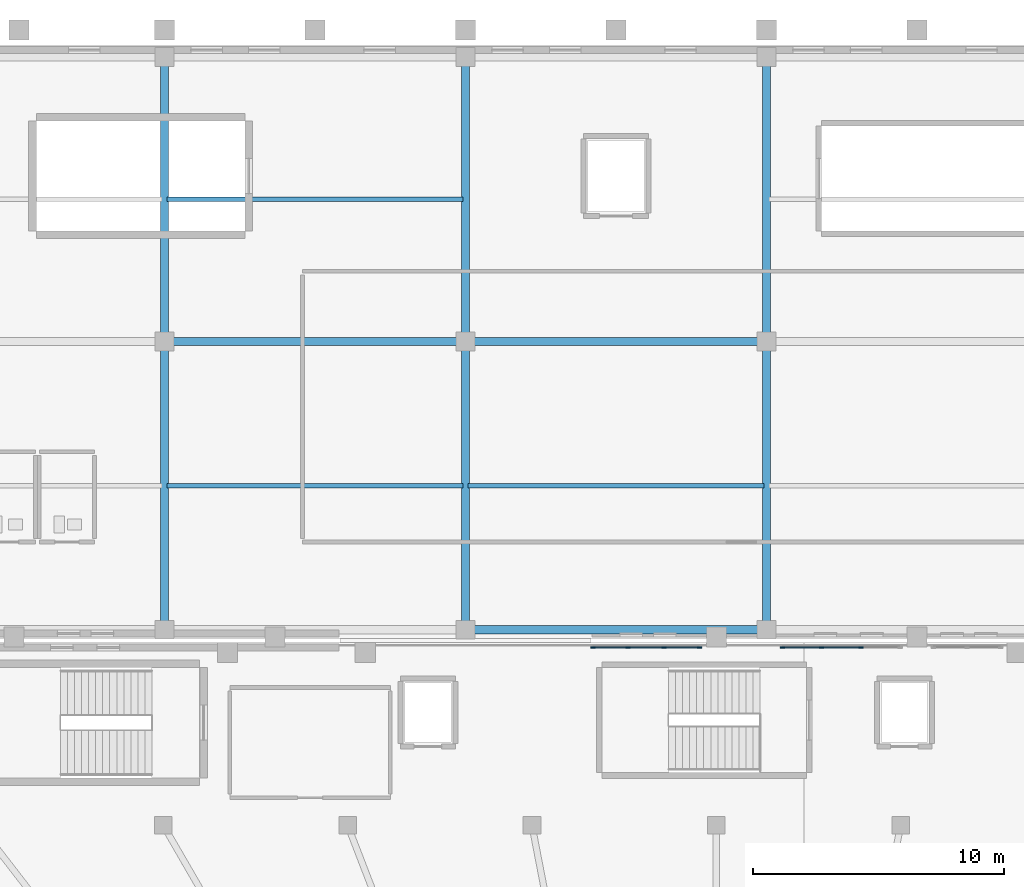
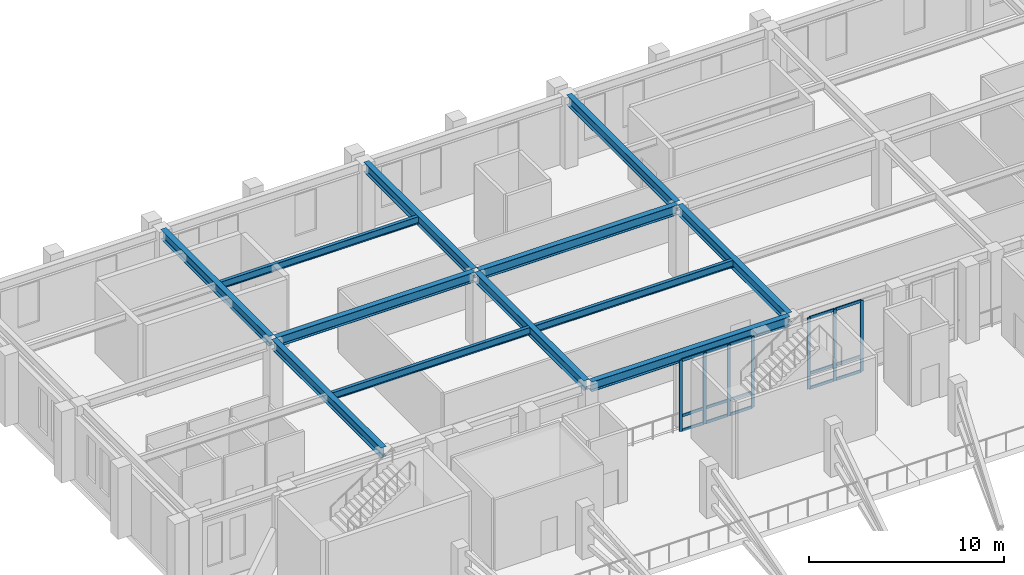
# One storey, part 25 of 79: 22 members, 12 beams, 2 elements without a shape of their own.
"""IFC4 building model written with IfcOpenShell, lengths in metres."""

from ifc_helpers import new_model, si_unit, derived_unit, direction, frame, origin, origin_2d, place, context, subcontext, project, spatial, rectangle, i_section, extrude, material, layer, layer_set, material_profile, profile_set, type_object, element, aggregate, save


model = new_model("IFC4")

# Units and contexts
model_context = context("Model", 3, precision=1e-05, world=origin(), true_north=direction((0.0, 1.0)))
body_context = subcontext(model_context, "Body", "Model", "MODEL_VIEW")
ifc_project = project(units=[si_unit("LENGTHUNIT", "METRE"), si_unit("AREAUNIT", "SQUARE_METRE"), si_unit("VOLUMEUNIT", "CUBIC_METRE"), si_unit("PLANEANGLEUNIT", "RADIAN"), si_unit("MASSUNIT", "GRAM", prefix="KILO"), derived_unit("THERMALTRANSMITTANCEUNIT", [(si_unit("MASSUNIT", "GRAM", prefix="KILO"), 1), (si_unit("TIMEUNIT", "SECOND"), -3), (si_unit("THERMODYNAMICTEMPERATUREUNIT", "KELVIN"), -1)])], contexts=[model_context])

# Site, building, storey
site_placement = place(None, origin())
site = spatial("IfcSite", under=ifc_project, at=site_placement, CompositionType="ELEMENT")
building_placement = place(site_placement, origin())
building = spatial("IfcBuilding", under=site, at=building_placement, Name="Valcora Ridge Arena", CompositionType="ELEMENT")
storey_placement = place(building_placement, frame((0.0, 0.0, 16.199951171875)))
storey = spatial("IfcBuildingStorey", under=building, at=storey_placement, Name="L03", CompositionType="ELEMENT", Elevation=16.199951171875)

# Beams
ifc_material_1 = material(Name="Steel ASTM A572 Grade 50", Category="steel")
ifc_material_profile_1 = material_profile(ifc_material_1, i_section(OverallWidth=0.324951171875, OverallDepth=0.612060546875, WebThickness=0.0126953125, FlangeThickness=0.01904296875, FilletRadius=0.01806640625, at=origin_2d()), Name="W24X104")
ifc_profile_set_1 = profile_set([ifc_material_profile_1], Name="Steel ASTM A572 Grade 50")
beam_type_1 = type_object("IfcBeamType", Name="TY-BEAM-G-W24X104-X", PredefinedType="BEAM", material=ifc_profile_set_1)
for number, where, z_axis, x_axis, name in (
    (1, (48.139892578125, 108.699951171875, 4.154052734375), (1.0, 0.0, 0.0), (0.0, 1.0, 0.0), "G-W24X104-X BEM-G-W24X104-X-0099"),
    (2, (36.139892578125, 120.199951171875, 4.154052734375), (1.0, 0.0, 0.0), (0.0, 1.0, 0.0), "G-W24X104-X BEM-G-W24X104-X-0112"),
    (3, (48.139892578125, 120.199951171875, 4.154052734375), (1.0, 0.0, 0.0), (0.0, 1.0, 0.0), "G-W24X104-X BEM-G-W24X104-X-0113"),
):
    element("IfcBeam", number, at=place(storey_placement, frame(where, z_axis=z_axis, x_axis=x_axis)), inside=storey, type_object=beam_type_1, Name=name, PredefinedType="BEAM", context=body_context, shape_type="SweptSolid", body=[
        extrude(i_section(OverallWidth=0.324951171875, OverallDepth=0.612060546875, WebThickness=0.0126953125, FlangeThickness=0.01904296875, FilletRadius=0.01806640625, at=origin_2d()), origin(), (0.0, 0.0, 1.0), 11.72021484375),
    ])
ifc_material_profile_2 = material_profile(ifc_material_1, i_section(OverallWidth=0.324951171875, OverallDepth=0.612060546875, WebThickness=0.0126953125, FlangeThickness=0.01904296875, FilletRadius=0.01806640625, at=origin_2d()), Name="W24X104")
ifc_profile_set_2 = profile_set([ifc_material_profile_2], Name="Steel ASTM A572 Grade 50")
beam_type_2 = type_object("IfcBeamType", Name="TY-BEAM-G-W24X104-Y", PredefinedType="BEAM", material=ifc_profile_set_2)
beam_1_placement = place(storey_placement, frame((36.0, 108.840087890625, 4.154052734375), z_axis=(0.0, 1.0, 0.0), x_axis=(-1.0, 0.0, 0.0)))
element("IfcBeam", 4, at=beam_1_placement, inside=storey, type_object=beam_type_2, Name="G-W24X104-Y BEM-G-W24X104-Y-0111", PredefinedType="BEAM", context=body_context, shape_type="SweptSolid", body=[
    extrude(i_section(OverallWidth=0.324951171875, OverallDepth=0.612060546875, WebThickness=0.0126953125, FlangeThickness=0.01904296875, FilletRadius=0.01806640625, at=origin_2d()), origin(), (0.0, 0.0, 1.0), 11.219970703125),
])
beam_2_placement = place(storey_placement, frame((36.0, 120.340087890625, 4.154052734375), z_axis=(0.0, 1.0, 0.0), x_axis=(-1.0, 0.0, 0.0)))
element("IfcBeam", 5, at=beam_2_placement, inside=storey, type_object=beam_type_2, Name="G-W24X104-Y BEM-G-W24X104-Y-0112", PredefinedType="BEAM", context=body_context, shape_type="SweptSolid", body=[
    extrude(i_section(OverallWidth=0.324951171875, OverallDepth=0.612060546875, WebThickness=0.0126953125, FlangeThickness=0.01904296875, FilletRadius=0.01806640625, at=origin_2d()), origin(), (0.0, 0.0, 1.0), 11.06982421875),
])
beam_3_placement = place(storey_placement, frame((48.0, 108.840087890625, 4.154052734375), z_axis=(0.0, 1.0, 0.0), x_axis=(-1.0, 0.0, 0.0)))
element("IfcBeam", 6, at=beam_3_placement, inside=storey, type_object=beam_type_2, Name="G-W24X104-Y BEM-G-W24X104-Y-0113", PredefinedType="BEAM", context=body_context, shape_type="SweptSolid", body=[
    extrude(i_section(OverallWidth=0.324951171875, OverallDepth=0.612060546875, WebThickness=0.0126953125, FlangeThickness=0.01904296875, FilletRadius=0.01806640625, at=origin_2d()), origin(), (0.0, 0.0, 1.0), 11.219970703125),
])
beam_4_placement = place(storey_placement, frame((48.0, 120.340087890625, 4.154052734375), z_axis=(0.0, 1.0, 0.0), x_axis=(-1.0, 0.0, 0.0)))
element("IfcBeam", 7, at=beam_4_placement, inside=storey, type_object=beam_type_2, Name="G-W24X104-Y BEM-G-W24X104-Y-0114", PredefinedType="BEAM", context=body_context, shape_type="SweptSolid", body=[
    extrude(i_section(OverallWidth=0.324951171875, OverallDepth=0.612060546875, WebThickness=0.0126953125, FlangeThickness=0.01904296875, FilletRadius=0.01806640625, at=origin_2d()), origin(), (0.0, 0.0, 1.0), 11.06982421875),
])
beam_5_placement = place(storey_placement, frame((60.0, 108.840087890625, 4.154052734375), z_axis=(0.0, 1.0, 0.0), x_axis=(-1.0, 0.0, 0.0)))
element("IfcBeam", 8, at=beam_5_placement, inside=storey, type_object=beam_type_2, Name="G-W24X104-Y BEM-G-W24X104-Y-0115", PredefinedType="BEAM", context=body_context, shape_type="SweptSolid", body=[
    extrude(i_section(OverallWidth=0.324951171875, OverallDepth=0.612060546875, WebThickness=0.0126953125, FlangeThickness=0.01904296875, FilletRadius=0.01806640625, at=origin_2d()), origin(), (0.0, 0.0, 1.0), 11.219970703125),
])
beam_6_placement = place(storey_placement, frame((60.0, 120.340087890625, 4.154052734375), z_axis=(0.0, 1.0, 0.0), x_axis=(-1.0, 0.0, 0.0)))
element("IfcBeam", 9, at=beam_6_placement, inside=storey, type_object=beam_type_2, Name="G-W24X104-Y BEM-G-W24X104-Y-0116", PredefinedType="BEAM", context=body_context, shape_type="SweptSolid", body=[
    extrude(i_section(OverallWidth=0.324951171875, OverallDepth=0.612060546875, WebThickness=0.0126953125, FlangeThickness=0.01904296875, FilletRadius=0.01806640625, at=origin_2d()), origin(), (0.0, 0.0, 1.0), 11.06982421875),
])
ifc_material_profile_3 = material_profile(ifc_material_1, i_section(OverallWidth=0.18994140625, OverallDepth=0.45703125, WebThickness=0.009033203125, FlangeThickness=0.014404296875, FilletRadius=0.014892578125, at=origin_2d()), Name="W18X50")
ifc_profile_set_3 = profile_set([ifc_material_profile_3], Name="Steel ASTM A572 Grade 50")
beam_type_3 = type_object("IfcBeamType", Name="TY-BEAM-J-W18X50", PredefinedType="JOIST", material=ifc_profile_set_3)
for number, where, z_axis, x_axis, name in (
    (10, (36.10009765625, 114.449951171875, 4.2314453125), (1.0, 0.0, 0.0), (0.0, 1.0, 0.0), "J-W18X50 BEM-J-W18X50-0081"),
    (11, (36.10009765625, 125.875, 4.2314453125), (1.0, 0.0, 0.0), (0.0, 1.0, 0.0), "J-W18X50 BEM-J-W18X50-0082"),
    (12, (48.10009765625, 114.449951171875, 4.2314453125), (1.0, 0.0, 0.0), (0.0, 1.0, 0.0), "J-W18X50 BEM-J-W18X50-0083"),
):
    element("IfcBeam", number, at=place(storey_placement, frame(where, z_axis=z_axis, x_axis=x_axis)), inside=storey, type_object=beam_type_3, Name=name, PredefinedType="JOIST", context=body_context, shape_type="SweptSolid", body=[
        extrude(i_section(OverallWidth=0.18994140625, OverallDepth=0.45703125, WebThickness=0.009033203125, FlangeThickness=0.014404296875, FilletRadius=0.014892578125, at=origin_2d()), origin(), (0.0, 0.0, 1.0), 11.7998046875),
    ])

# Curtain wall, members
ifc_material_2 = material(Name="Anodised dark bronze architectural aluminium 6063-T6", Category="aluminium")
ifc_layer_1 = layer(ifc_material_2, 0.179931640625, Name="Anodised dark bronze architectural aluminium 6063-T6")
ifc_layer_set_1 = layer_set([ifc_layer_1], Name="Anodised dark bronze architectural aluminium 6063-T6")
curtain_wall_type_1 = type_object("IfcCurtainWallType", Name="TY-CURTAINWALL-CW-V1-GOTH-043X44", PredefinedType="NOTDEFINED", material=ifc_layer_set_1)
curtain_wall_1_placement = place(storey_placement, origin())
curtain_wall_1 = element("IfcCurtainWall", 13, at=curtain_wall_1_placement, inside=storey, type_object=curtain_wall_type_1, Name="CW-V1-GOTH-043X44 CW-0142", PredefinedType="NOTDEFINED")
ifc_material_profile_4 = material_profile(ifc_material_2, rectangle(XDim=0.06005859375, YDim=0.179931640625, at=origin_2d()), Name="ALU MULLION 60x180")
ifc_profile_set_4 = profile_set([ifc_material_profile_4], Name="Anodised dark bronze architectural aluminium 6063-T6")
member_type_1 = type_object("IfcMemberType", Name="TY-MEM-CWM-60x180", PredefinedType="MULLION", material=ifc_profile_set_4)
member_1_placement = place(storey_placement, frame((53.080078125, 108.0, 0.0), z_axis=(0.0, 0.0, 1.0), x_axis=(0.0, 1.0, 0.0)))
member_1 = element("IfcMember", 14, at=member_1_placement, type_object=member_type_1, Name="CW-0142/CWM-60x180/M00", PredefinedType="MULLION", context=body_context, shape_type="SweptSolid", body=[
    extrude(rectangle(XDim=0.06005859375, YDim=0.179931640625, at=origin_2d()), origin(), (0.0, 0.0, 1.0), 4.43994140625),
])
member_2_placement = place(storey_placement, frame((54.48681640625, 108.0, 0.0), z_axis=(0.0, 0.0, 1.0), x_axis=(0.0, 1.0, 0.0)))
member_2 = element("IfcMember", 15, at=member_2_placement, type_object=member_type_1, Name="CW-0142/CWM-60x180/M01", PredefinedType="MULLION", context=body_context, shape_type="SweptSolid", body=[
    extrude(rectangle(XDim=0.06005859375, YDim=0.179931640625, at=origin_2d()), origin(), (0.0, 0.0, 1.0), 4.43994140625),
])
member_3_placement = place(storey_placement, frame((55.92333984375, 108.0, 0.0), z_axis=(0.0, 0.0, 1.0), x_axis=(0.0, 1.0, 0.0)))
member_3 = element("IfcMember", 16, at=member_3_placement, type_object=member_type_1, Name="CW-0142/CWM-60x180/M02", PredefinedType="MULLION", context=body_context, shape_type="SweptSolid", body=[
    extrude(rectangle(XDim=0.06005859375, YDim=0.179931640625, at=origin_2d()), origin(), (0.0, 0.0, 1.0), 4.43994140625),
])
member_4_placement = place(storey_placement, frame((57.330078125, 108.0, 0.0), z_axis=(0.0, 0.0, 1.0), x_axis=(0.0, 1.0, 0.0)))
member_4 = element("IfcMember", 17, at=member_4_placement, type_object=member_type_1, Name="CW-0142/CWM-60x180/M03", PredefinedType="MULLION", context=body_context, shape_type="SweptSolid", body=[
    extrude(rectangle(XDim=0.06005859375, YDim=0.179931640625, at=origin_2d()), origin(), (0.0, 0.0, 1.0), 4.43994140625),
])

ifc_layer_2 = layer(ifc_material_2, 0.179931640625, Name="Anodised dark bronze architectural aluminium 6063-T6")
ifc_layer_set_2 = layer_set([ifc_layer_2], Name="Anodised dark bronze architectural aluminium 6063-T6")
curtain_wall_type_2 = type_object("IfcCurtainWallType", Name="TY-CURTAINWALL-CW-V1-GOTH-047X44", PredefinedType="NOTDEFINED", material=ifc_layer_set_2)
curtain_wall_2_placement = place(storey_placement, origin())
curtain_wall_2 = element("IfcCurtainWall", 18, at=curtain_wall_2_placement, inside=storey, type_object=curtain_wall_type_2, Name="CW-V1-GOTH-047X44 CW-0143", PredefinedType="NOTDEFINED")
member_5_placement = place(storey_placement, frame((60.64501953125, 108.0, 0.0), z_axis=(0.0, 0.0, 1.0), x_axis=(0.0, 1.0, 0.0)))
member_5 = element("IfcMember", 19, at=member_5_placement, type_object=member_type_1, Name="CW-0143/CWM-60x180/M00", PredefinedType="MULLION", context=body_context, shape_type="SweptSolid", body=[
    extrude(rectangle(XDim=0.06005859375, YDim=0.179931640625, at=origin_2d()), origin(), (0.0, 0.0, 1.0), 4.43994140625),
])
member_6_placement = place(storey_placement, frame((62.19677734375, 108.0, 0.0), z_axis=(0.0, 0.0, 1.0), x_axis=(0.0, 1.0, 0.0)))
member_6 = element("IfcMember", 20, at=member_6_placement, type_object=member_type_1, Name="CW-0143/CWM-60x180/M01", PredefinedType="MULLION", context=body_context, shape_type="SweptSolid", body=[
    extrude(rectangle(XDim=0.06005859375, YDim=0.179931640625, at=origin_2d()), origin(), (0.0, 0.0, 1.0), 4.43994140625),
])
member_7_placement = place(storey_placement, frame((63.7783203125, 108.0, 0.0), z_axis=(0.0, 0.0, 1.0), x_axis=(0.0, 1.0, 0.0)))
member_7 = element("IfcMember", 21, at=member_7_placement, type_object=member_type_1, Name="CW-0143/CWM-60x180/M02", PredefinedType="MULLION", context=body_context, shape_type="SweptSolid", body=[
    extrude(rectangle(XDim=0.06005859375, YDim=0.179931640625, at=origin_2d()), origin(), (0.0, 0.0, 1.0), 4.43994140625),
])

# Member
ifc_material_profile_5 = material_profile(ifc_material_2, rectangle(XDim=0.06005859375, YDim=0.179931640625, at=origin_2d()), Name="ALU TRANSOM 60x180")
ifc_profile_set_5 = profile_set([ifc_material_profile_5], Name="Anodised dark bronze architectural aluminium 6063-T6")
member_type_2 = type_object("IfcMemberType", Name="TY-MEM-CWT-60x180", PredefinedType="USERDEFINED", material=ifc_profile_set_5)
member_8_placement = place(storey_placement, frame((53.110107421875, 108.0, 0.030029296875), z_axis=(1.0, 0.0, 0.0), x_axis=(0.0, 1.0, 0.0)))
member_8 = element("IfcMember", 22, at=member_8_placement, type_object=member_type_2, Name="CW-0142/CWT-60x180/T00-00", ObjectType="TRANSOM", PredefinedType="USERDEFINED", context=body_context, shape_type="SweptSolid", body=[
    extrude(rectangle(XDim=0.06005859375, YDim=0.179931640625, at=origin_2d()), origin(), (0.0, 0.0, 1.0), 1.346923828125),
])

member_9_placement = place(storey_placement, frame((53.110107421875, 108.0, 0.949951171875), z_axis=(1.0, 0.0, 0.0), x_axis=(0.0, 1.0, 0.0)))
member_9 = element("IfcMember", 23, at=member_9_placement, type_object=member_type_2, Name="CW-0142/CWT-60x180/T00-01", ObjectType="TRANSOM", PredefinedType="USERDEFINED", context=body_context, shape_type="SweptSolid", body=[
    extrude(rectangle(XDim=0.06005859375, YDim=0.179931640625, at=origin_2d()), origin(), (0.0, 0.0, 1.0), 1.346923828125),
])

member_10_placement = place(storey_placement, frame((53.110107421875, 108.0, 4.41015625), z_axis=(1.0, 0.0, 0.0), x_axis=(0.0, 1.0, 0.0)))
member_10 = element("IfcMember", 24, at=member_10_placement, type_object=member_type_2, Name="CW-0142/CWT-60x180/T00-02", ObjectType="TRANSOM", PredefinedType="USERDEFINED", context=body_context, shape_type="SweptSolid", body=[
    extrude(rectangle(XDim=0.06005859375, YDim=0.179931640625, at=origin_2d()), origin(), (0.0, 0.0, 1.0), 1.346923828125),
])

member_11_placement = place(storey_placement, frame((54.51708984375, 108.0, 0.030029296875), z_axis=(1.0, 0.0, 0.0), x_axis=(0.0, 1.0, 0.0)))
member_11 = element("IfcMember", 25, at=member_11_placement, type_object=member_type_2, Name="CW-0142/CWT-60x180/T01-00", ObjectType="TRANSOM", PredefinedType="USERDEFINED", context=body_context, shape_type="SweptSolid", body=[
    extrude(rectangle(XDim=0.06005859375, YDim=0.179931640625, at=origin_2d()), origin(), (0.0, 0.0, 1.0), 1.3759765625),
])

member_12_placement = place(storey_placement, frame((54.51708984375, 108.0, 0.949951171875), z_axis=(1.0, 0.0, 0.0), x_axis=(0.0, 1.0, 0.0)))
member_12 = element("IfcMember", 26, at=member_12_placement, type_object=member_type_2, Name="CW-0142/CWT-60x180/T01-01", ObjectType="TRANSOM", PredefinedType="USERDEFINED", context=body_context, shape_type="SweptSolid", body=[
    extrude(rectangle(XDim=0.06005859375, YDim=0.179931640625, at=origin_2d()), origin(), (0.0, 0.0, 1.0), 1.3759765625),
])

member_13_placement = place(storey_placement, frame((54.51708984375, 108.0, 4.41015625), z_axis=(1.0, 0.0, 0.0), x_axis=(0.0, 1.0, 0.0)))
member_13 = element("IfcMember", 27, at=member_13_placement, type_object=member_type_2, Name="CW-0142/CWT-60x180/T01-02", ObjectType="TRANSOM", PredefinedType="USERDEFINED", context=body_context, shape_type="SweptSolid", body=[
    extrude(rectangle(XDim=0.06005859375, YDim=0.179931640625, at=origin_2d()), origin(), (0.0, 0.0, 1.0), 1.3759765625),
])

member_14_placement = place(storey_placement, frame((55.952880859375, 108.0, 0.030029296875), z_axis=(1.0, 0.0, 0.0), x_axis=(0.0, 1.0, 0.0)))
member_14 = element("IfcMember", 28, at=member_14_placement, type_object=member_type_2, Name="CW-0142/CWT-60x180/T02-00", ObjectType="TRANSOM", PredefinedType="USERDEFINED", context=body_context, shape_type="SweptSolid", body=[
    extrude(rectangle(XDim=0.06005859375, YDim=0.179931640625, at=origin_2d()), origin(), (0.0, 0.0, 1.0), 1.34716796875),
])

member_15_placement = place(storey_placement, frame((55.952880859375, 108.0, 0.949951171875), z_axis=(1.0, 0.0, 0.0), x_axis=(0.0, 1.0, 0.0)))
member_15 = element("IfcMember", 29, at=member_15_placement, type_object=member_type_2, Name="CW-0142/CWT-60x180/T02-01", ObjectType="TRANSOM", PredefinedType="USERDEFINED", context=body_context, shape_type="SweptSolid", body=[
    extrude(rectangle(XDim=0.06005859375, YDim=0.179931640625, at=origin_2d()), origin(), (0.0, 0.0, 1.0), 1.34716796875),
])

member_16_placement = place(storey_placement, frame((55.952880859375, 108.0, 4.41015625), z_axis=(1.0, 0.0, 0.0), x_axis=(0.0, 1.0, 0.0)))
member_16 = element("IfcMember", 30, at=member_16_placement, type_object=member_type_2, Name="CW-0142/CWT-60x180/T02-02", ObjectType="TRANSOM", PredefinedType="USERDEFINED", context=body_context, shape_type="SweptSolid", body=[
    extrude(rectangle(XDim=0.06005859375, YDim=0.179931640625, at=origin_2d()), origin(), (0.0, 0.0, 1.0), 1.34716796875),
])

aggregate(curtain_wall_1, [member_1, member_2, member_3, member_4, member_8, member_9, member_10, member_11, member_12, member_13, member_14, member_15, member_16])

member_17_placement = place(storey_placement, frame((60.675048828125, 108.0, 0.030029296875), z_axis=(1.0, 0.0, 0.0), x_axis=(0.0, 1.0, 0.0)))
member_17 = element("IfcMember", 31, at=member_17_placement, type_object=member_type_2, Name="CW-0143/CWT-60x180/T00-00", ObjectType="TRANSOM", PredefinedType="USERDEFINED", context=body_context, shape_type="SweptSolid", body=[
    extrude(rectangle(XDim=0.06005859375, YDim=0.179931640625, at=origin_2d()), origin(), (0.0, 0.0, 1.0), 1.491943359375),
])

member_18_placement = place(storey_placement, frame((60.675048828125, 108.0, 0.949951171875), z_axis=(1.0, 0.0, 0.0), x_axis=(0.0, 1.0, 0.0)))
member_18 = element("IfcMember", 32, at=member_18_placement, type_object=member_type_2, Name="CW-0143/CWT-60x180/T00-01", ObjectType="TRANSOM", PredefinedType="USERDEFINED", context=body_context, shape_type="SweptSolid", body=[
    extrude(rectangle(XDim=0.06005859375, YDim=0.179931640625, at=origin_2d()), origin(), (0.0, 0.0, 1.0), 1.491943359375),
])

member_19_placement = place(storey_placement, frame((60.675048828125, 108.0, 4.41015625), z_axis=(1.0, 0.0, 0.0), x_axis=(0.0, 1.0, 0.0)))
member_19 = element("IfcMember", 33, at=member_19_placement, type_object=member_type_2, Name="CW-0143/CWT-60x180/T00-02", ObjectType="TRANSOM", PredefinedType="USERDEFINED", context=body_context, shape_type="SweptSolid", body=[
    extrude(rectangle(XDim=0.06005859375, YDim=0.179931640625, at=origin_2d()), origin(), (0.0, 0.0, 1.0), 1.491943359375),
])

member_20_placement = place(storey_placement, frame((62.22705078125, 108.0, 0.030029296875), z_axis=(1.0, 0.0, 0.0), x_axis=(0.0, 1.0, 0.0)))
member_20 = element("IfcMember", 34, at=member_20_placement, type_object=member_type_2, Name="CW-0143/CWT-60x180/T01-00", ObjectType="TRANSOM", PredefinedType="USERDEFINED", context=body_context, shape_type="SweptSolid", body=[
    extrude(rectangle(XDim=0.06005859375, YDim=0.179931640625, at=origin_2d()), origin(), (0.0, 0.0, 1.0), 1.52099609375),
])

member_21_placement = place(storey_placement, frame((62.22705078125, 108.0, 0.949951171875), z_axis=(1.0, 0.0, 0.0), x_axis=(0.0, 1.0, 0.0)))
member_21 = element("IfcMember", 35, at=member_21_placement, type_object=member_type_2, Name="CW-0143/CWT-60x180/T01-01", ObjectType="TRANSOM", PredefinedType="USERDEFINED", context=body_context, shape_type="SweptSolid", body=[
    extrude(rectangle(XDim=0.06005859375, YDim=0.179931640625, at=origin_2d()), origin(), (0.0, 0.0, 1.0), 1.52099609375),
])

member_22_placement = place(storey_placement, frame((62.22705078125, 108.0, 4.41015625), z_axis=(1.0, 0.0, 0.0), x_axis=(0.0, 1.0, 0.0)))
member_22 = element("IfcMember", 36, at=member_22_placement, type_object=member_type_2, Name="CW-0143/CWT-60x180/T01-02", ObjectType="TRANSOM", PredefinedType="USERDEFINED", context=body_context, shape_type="SweptSolid", body=[
    extrude(rectangle(XDim=0.06005859375, YDim=0.179931640625, at=origin_2d()), origin(), (0.0, 0.0, 1.0), 1.52099609375),
])

aggregate(curtain_wall_2, [member_5, member_6, member_7, member_17, member_18, member_19, member_20, member_21, member_22])

save(model, "model.ifc")
